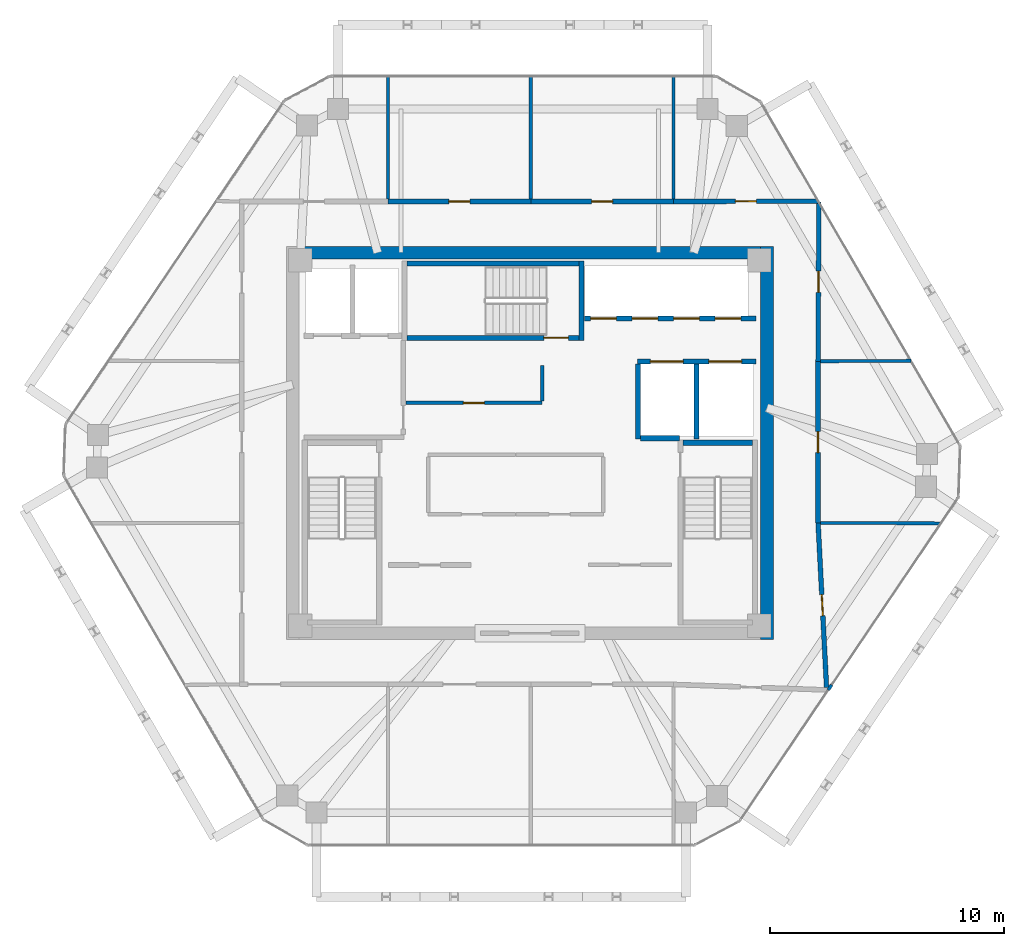
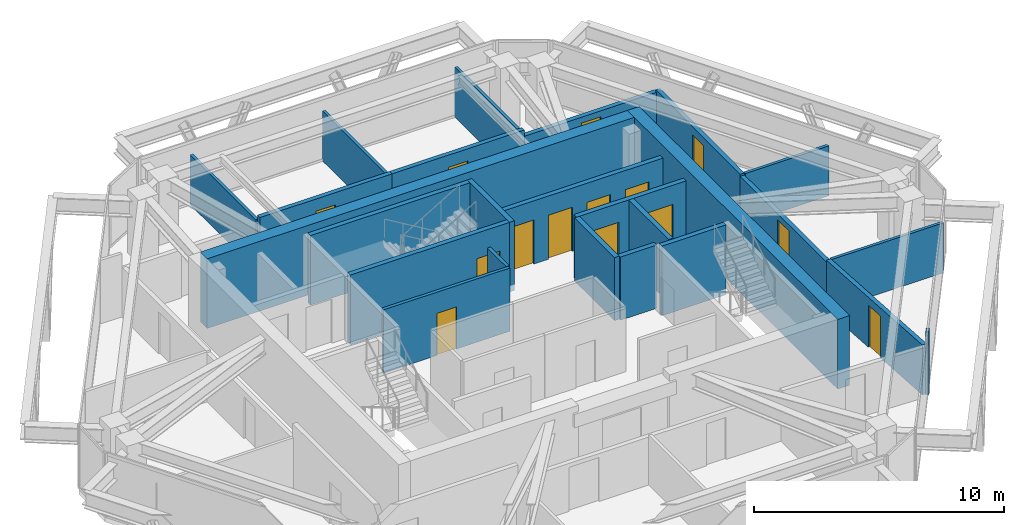
# One storey, part 9 of 11: 25 walls, 14 doors, 14 openings.
"""IFC4 building model written with IfcOpenShell, lengths in metres."""

from ifc_helpers import new_model, si_unit, direction, frame, frame_2d, origin, place, context, subcontext, project, spatial, rectangle, extrude, source, transform, mapped, material, layer, layer_set, type_object, type_shapes, element, fill, save


model = new_model("IFC4")

# Units and contexts
model_context = context("Model", 3, precision=1e-05, world=origin(), true_north=direction((0.0, 1.0)))
body_context = subcontext(model_context, "Body", "Model", "MODEL_VIEW")
ifc_project = project(units=[si_unit("LENGTHUNIT", "METRE"), si_unit("AREAUNIT", "SQUARE_METRE"), si_unit("VOLUMEUNIT", "CUBIC_METRE"), si_unit("PLANEANGLEUNIT", "RADIAN"), si_unit("MASSUNIT", "GRAM", prefix="KILO")], contexts=[model_context])

# Site, building, storey
site_placement = place(None, origin())
site = spatial("IfcSite", under=ifc_project, at=site_placement, CompositionType="ELEMENT")
building_placement = place(site_placement, origin())
building = spatial("IfcBuilding", under=site, at=building_placement, Name="Durnholm Broadcast Tower", CompositionType="ELEMENT")
storey_placement = place(building_placement, frame((0.0, 0.0, 264.89990234375)))
storey = spatial("IfcBuildingStorey", under=building, at=storey_placement, Name="L74", CompositionType="ELEMENT", Elevation=264.89990234375)

# Walls
ifc_material_1 = material(Name="Concrete C70/85", Category="concrete")
ifc_layer_1 = layer(ifc_material_1, 0.550048828125)
ifc_layer_set_1 = layer_set([ifc_layer_1], Name="Concrete C70/85")
wall_type_1 = type_object("IfcWallType", Name="WALL-CW-550", PredefinedType="SHEAR", material=ifc_layer_set_1)
wall_1_placement = place(storey_placement, frame((10.125, -8.39990234375, 0.0), z_axis=(0.0, 0.0, 1.0), x_axis=(0.0, 1.0, 0.0)))
element("IfcWall", 1, at=wall_1_placement, inside=storey, type_object=wall_type_1, Name="L74 central core shear wall CW-EAST", PredefinedType="SHEAR", context=body_context, shape_type="SweptSolid", body=[
    extrude(rectangle(XDim=16.7998046875, YDim=0.550048828125, at=frame_2d((8.39990234375, 0.0))), origin(), (0.0, 0.0, 1.0), 3.400146484375),
])
wall_2_placement = place(storey_placement, frame((-9.85009765625, 8.125, 0.0), z_axis=(0.0, 0.0, 1.0), x_axis=(1.0, 0.0, 0.0)))
element("IfcWall", 2, at=wall_2_placement, inside=storey, type_object=wall_type_1, Name="L74 central core shear wall CW-N", PredefinedType="SHEAR", context=body_context, shape_type="SweptSolid", body=[
    extrude(rectangle(XDim=19.7001953125, YDim=0.550048828125, at=frame_2d((9.85009765625, 0.0))), origin(), (0.0, 0.0, 1.0), 3.400146484375),
])

# Wall, opening, door
ifc_material_2 = material(Name="Fire-Rated Gypsum Shaftwall", Category="concrete")
ifc_layer_2 = layer(ifc_material_2, 0.199951171875)
ifc_layer_set_2 = layer_set([ifc_layer_2], Name="Fire-Rated Gypsum Shaftwall")
wall_type_2 = type_object("IfcWallType", Name="WALL-LOB-200", PredefinedType="SOLIDWALL", material=ifc_layer_set_2)
wall_3_placement = place(storey_placement, frame((0.0400390625, 10.31005859375, 0.0), z_axis=(0.0, 0.0, 1.0), x_axis=(-1.0, 0.0, 0.0)))
wall_3 = element("IfcWall", 3, at=wall_3_placement, inside=storey, type_object=wall_type_2, Name="L74 Mechanical Plant Room - Dedicated Outdoor Air Handling corridor partition", PredefinedType="SOLIDWALL", context=body_context, shape_type="SweptSolid", body=[
    extrude(rectangle(XDim=6.10009765625, YDim=0.199951171875, at=frame_2d((3.050048828125, 0.0))), origin(), (0.0, 0.0, 1.0), 2.6484375),
])
opening_1_placement = place(wall_3_placement, frame((2.60009765625, 0.0, 0.0)))
opening_1 = element("IfcOpeningElement", 4, at=opening_1_placement, cuts=wall_3, Name="Opening DC-60R", PredefinedType="OPENING", context=body_context, shape_type="SweptSolid", body=[
    extrude(rectangle(XDim=0.89990234375, YDim=2.050048828125, at=frame_2d((0.449951171875, 1.02490234375))), frame((0.0, 0.10986328125, 0.0), z_axis=(0.0, -1.0, 0.0), x_axis=(1.0, 0.0, 0.0)), (0.0, 0.0, 1.0), 0.219970703125),
])
ifc_material_3 = material(Name="Fire-Rated Core Service Door", Category="steel")
ifc_layer_3 = layer(ifc_material_3, 0.050048828125)
ifc_layer_set_3 = layer_set([ifc_layer_3], Name="Fire-Rated Core Service Door")
door_type_1 = type_object("IfcDoorType", Name="DOOR-CORE-FD60-R", OperationType="NOTDEFINED", PredefinedType="DOOR", material=ifc_layer_set_3)
shared_shape_1 = source(origin(), body_context, "Body", "SweptSolid", [
    extrude(rectangle(XDim=0.89990234375, YDim=2.050048828125, at=frame_2d((0.449951171875, 1.02490234375))), frame((0.0, 0.02490234375, 0.0), z_axis=(0.0, -1.0, 0.0), x_axis=(1.0, 0.0, 0.0)), (0.0, 0.0, 1.0), 0.050048828125),
])
type_shapes(door_type_1, [shared_shape_1])
door_1_placement = place(opening_1_placement, origin())
door_1 = element("IfcDoor", 5, at=door_1_placement, inside=storey, type_object=door_type_1, Name="L74 Mechanical Plant Room - Dedicated Outdoor Air Handling entrance door", OperationType="SINGLE_SWING_RIGHT", OverallHeight=2.050048828125, OverallWidth=0.89990234375, PredefinedType="DOOR", context=body_context, shape_type="MappedRepresentation", body=[
    mapped(shared_shape_1, transform((0.0, 0.0, 0.0), x_axis=(1.0, 0.0, 0.0), y_axis=(0.0, 1.0, 0.0), z_axis=(0.0, 0.0, 1.0), scale=1.0)),
])
fill(opening_1, door_1)

wall_4_placement = place(storey_placement, frame((6.139892578125, 10.31005859375, 0.0), z_axis=(0.0, 0.0, 1.0), x_axis=(-1.0, 0.0, 0.0)))
wall_4 = element("IfcWall", 6, at=wall_4_placement, inside=storey, type_object=wall_type_2, Name="L74 Mechanical Plant Room - Condenser Water Pump Station corridor partition", PredefinedType="SOLIDWALL", context=body_context, shape_type="SweptSolid", body=[
    extrude(rectangle(XDim=6.099853515625, YDim=0.199951171875, at=frame_2d((3.0498046875, 0.0))), origin(), (0.0, 0.0, 1.0), 2.6484375),
])
opening_2_placement = place(wall_4_placement, frame((2.60009765625, 0.0, 0.0)))
opening_2 = element("IfcOpeningElement", 7, at=opening_2_placement, cuts=wall_4, Name="Opening DC-60L", PredefinedType="OPENING", context=body_context, shape_type="SweptSolid", body=[
    extrude(rectangle(XDim=0.89990234375, YDim=2.050048828125, at=frame_2d((0.449951171875, 1.02490234375))), frame((0.0, 0.10986328125, 0.0), z_axis=(0.0, -1.0, 0.0), x_axis=(1.0, 0.0, 0.0)), (0.0, 0.0, 1.0), 0.219970703125),
])
ifc_layer_4 = layer(ifc_material_3, 0.050048828125)
ifc_layer_set_4 = layer_set([ifc_layer_4], Name="Fire-Rated Core Service Door")
door_type_2 = type_object("IfcDoorType", Name="DOOR-CORE-FD60-L", OperationType="NOTDEFINED", PredefinedType="DOOR", material=ifc_layer_set_4)
shared_shape_2 = source(origin(), body_context, "Body", "SweptSolid", [
    extrude(rectangle(XDim=0.89990234375, YDim=2.050048828125, at=frame_2d((0.449951171875, 1.02490234375))), frame((0.0, 0.02490234375, 0.0), z_axis=(0.0, -1.0, 0.0), x_axis=(1.0, 0.0, 0.0)), (0.0, 0.0, 1.0), 0.050048828125),
])
type_shapes(door_type_2, [shared_shape_2])
door_2_placement = place(opening_2_placement, origin())
door_2 = element("IfcDoor", 8, at=door_2_placement, inside=storey, type_object=door_type_2, Name="L74 Mechanical Plant Room - Condenser Water Pump Station entrance door", OperationType="SINGLE_SWING_LEFT", OverallHeight=2.050048828125, OverallWidth=0.89990234375, PredefinedType="DOOR", context=body_context, shape_type="MappedRepresentation", body=[
    mapped(shared_shape_2, transform((0.0, 0.0, 0.0), x_axis=(1.0, 0.0, 0.0), y_axis=(0.0, 1.0, 0.0), z_axis=(0.0, 0.0, 1.0), scale=1.0)),
])
fill(opening_2, door_2)

wall_5_placement = place(storey_placement, frame((12.317626953125, 10.330078125, 0.0), z_axis=(0.0, 0.0, 1.0), x_axis=(-0.999994876599, -0.003201058528, 0.0)))
wall_5 = element("IfcWall", 9, at=wall_5_placement, inside=storey, type_object=wall_type_2, Name="L74 Mechanical Plant Room - Hydronic Heating Boiler corridor partition", PredefinedType="SOLIDWALL", context=body_context, shape_type="SweptSolid", body=[
    extrude(rectangle(XDim=6.177734375, YDim=0.199951171875, at=frame_2d((3.0888671875, 0.0))), origin(), (0.0, 0.0, 1.0), 2.341552734375),
])
opening_3_placement = place(wall_5_placement, frame((2.638916015625, 0.0, 0.0)))
opening_3 = element("IfcOpeningElement", 10, at=opening_3_placement, cuts=wall_5, Name="Opening DC-60R", PredefinedType="OPENING", context=body_context, shape_type="SweptSolid", body=[
    extrude(rectangle(XDim=0.89990234375, YDim=2.050048828125, at=frame_2d((0.449951171875, 1.02490234375))), frame((0.0, 0.10986328125, 0.0), z_axis=(0.0, -1.0, 0.0), x_axis=(1.0, 0.0, 0.0)), (0.0, 0.0, 1.0), 0.219970703125),
])
door_3_placement = place(opening_3_placement, origin())
door_3 = element("IfcDoor", 11, at=door_3_placement, inside=storey, type_object=door_type_1, Name="L74 Mechanical Plant Room - Hydronic Heating Boiler entrance door", OperationType="SINGLE_SWING_RIGHT", OverallHeight=2.050048828125, OverallWidth=0.89990234375, PredefinedType="DOOR", context=body_context, shape_type="MappedRepresentation", body=[
    mapped(shared_shape_1, transform((0.0, 0.0, 0.0), x_axis=(1.0, 0.0, 0.0), y_axis=(0.0, 1.0, 0.0), z_axis=(0.0, 0.0, 1.0), scale=1.0)),
])
fill(opening_3, door_3)

wall_6_placement = place(storey_placement, frame((12.672119140625, -10.44287109375, 0.0), z_axis=(0.0, 0.0, 1.0), x_axis=(-0.051412460162, 0.998677504974, 0.0)))
wall_6 = element("IfcWall", 12, at=wall_6_placement, inside=storey, type_object=wall_type_2, Name="L74 Mechanical Plant Room - Electrical Switchgear East corridor partition", PredefinedType="SOLIDWALL", context=body_context, shape_type="SweptSolid", body=[
    extrude(rectangle(XDim=7.042236328125, YDim=0.199951171875, at=frame_2d((3.52099609375, 0.0))), origin(), (0.0, 0.0, 1.0), 2.43896484375),
])
opening_4_placement = place(wall_6_placement, frame((3.071044921875, 0.0, 0.0)))
opening_4 = element("IfcOpeningElement", 13, at=opening_4_placement, cuts=wall_6, Name="Opening DC-60L", PredefinedType="OPENING", context=body_context, shape_type="SweptSolid", body=[
    extrude(rectangle(XDim=0.89990234375, YDim=2.050048828125, at=frame_2d((0.449951171875, 1.02490234375))), frame((0.0, 0.10986328125, 0.0), z_axis=(0.0, -1.0, 0.0), x_axis=(1.0, 0.0, 0.0)), (0.0, 0.0, 1.0), 0.219970703125),
])
door_4_placement = place(opening_4_placement, origin())
door_4 = element("IfcDoor", 14, at=door_4_placement, inside=storey, type_object=door_type_2, Name="L74 Mechanical Plant Room - Electrical Switchgear East entrance door", OperationType="SINGLE_SWING_LEFT", OverallHeight=2.050048828125, OverallWidth=0.89990234375, PredefinedType="DOOR", context=body_context, shape_type="MappedRepresentation", body=[
    mapped(shared_shape_2, transform((0.0, 0.0, 0.0), x_axis=(1.0, 0.0, 0.0), y_axis=(0.0, 1.0, 0.0), z_axis=(0.0, 0.0, 1.0), scale=1.0)),
])
fill(opening_4, door_4)

wall_7_placement = place(storey_placement, frame((12.31005859375, -3.409912109375, 0.0), z_axis=(0.0, 0.0, 1.0), x_axis=(0.0, 1.0, 0.0)))
wall_7 = element("IfcWall", 15, at=wall_7_placement, inside=storey, type_object=wall_type_2, Name="L74 Mechanical Plant Room - Medium Voltage Transformer corridor partition", PredefinedType="SOLIDWALL", context=body_context, shape_type="SweptSolid", body=[
    extrude(rectangle(XDim=6.89990234375, YDim=0.199951171875, at=frame_2d((3.449951171875, 0.0))), origin(), (0.0, 0.0, 1.0), 2.341552734375),
])
opening_5_placement = place(wall_7_placement, frame((3.0, 0.0, 0.0)))
opening_5 = element("IfcOpeningElement", 16, at=opening_5_placement, cuts=wall_7, Name="Opening DC-60R", PredefinedType="OPENING", context=body_context, shape_type="SweptSolid", body=[
    extrude(rectangle(XDim=0.89990234375, YDim=2.050048828125, at=frame_2d((0.449951171875, 1.02490234375))), frame((0.0, 0.10986328125, 0.0), z_axis=(0.0, -1.0, 0.0), x_axis=(1.0, 0.0, 0.0)), (0.0, 0.0, 1.0), 0.219970703125),
])
door_5_placement = place(opening_5_placement, origin())
door_5 = element("IfcDoor", 17, at=door_5_placement, inside=storey, type_object=door_type_1, Name="L74 Mechanical Plant Room - Medium Voltage Transformer entrance door", OperationType="SINGLE_SWING_RIGHT", OverallHeight=2.050048828125, OverallWidth=0.89990234375, PredefinedType="DOOR", context=body_context, shape_type="MappedRepresentation", body=[
    mapped(shared_shape_1, transform((0.0, 0.0, 0.0), x_axis=(1.0, 0.0, 0.0), y_axis=(0.0, 1.0, 0.0), z_axis=(0.0, 0.0, 1.0), scale=1.0)),
])
fill(opening_5, door_5)

wall_8_placement = place(storey_placement, frame((12.310302734375, 3.489990234375, 0.0), z_axis=(0.0, 0.0, 1.0), x_axis=(0.005031021246, 0.999987344333, 0.0)))
wall_8 = element("IfcWall", 18, at=wall_8_placement, inside=storey, type_object=wall_type_2, Name="L74 Mechanical Plant Room - Emergency Smoke Exhaust Fan corridor partition", PredefinedType="SOLIDWALL", context=body_context, shape_type="SweptSolid", body=[
    extrude(rectangle(XDim=6.793701171875, YDim=0.199951171875, at=frame_2d((3.39697265625, 0.0))), origin(), (0.0, 0.0, 1.0), 2.43896484375),
])
opening_6_placement = place(wall_8_placement, frame((2.94677734375, 0.0, 0.0)))
opening_6 = element("IfcOpeningElement", 19, at=opening_6_placement, cuts=wall_8, Name="Opening DC-60L", PredefinedType="OPENING", context=body_context, shape_type="SweptSolid", body=[
    extrude(rectangle(XDim=0.89990234375, YDim=2.050048828125, at=frame_2d((0.449951171875, 1.02490234375))), frame((0.0, 0.10986328125, 0.0), z_axis=(0.0, -1.0, 0.0), x_axis=(1.0, 0.0, 0.0)), (0.0, 0.0, 1.0), 0.219970703125),
])
door_6_placement = place(opening_6_placement, origin())
door_6 = element("IfcDoor", 20, at=door_6_placement, inside=storey, type_object=door_type_2, Name="L74 Mechanical Plant Room - Emergency Smoke Exhaust Fan entrance door", OperationType="SINGLE_SWING_LEFT", OverallHeight=2.050048828125, OverallWidth=0.89990234375, PredefinedType="DOOR", context=body_context, shape_type="MappedRepresentation", body=[
    mapped(shared_shape_2, transform((0.0, 0.0, 0.0), x_axis=(1.0, 0.0, 0.0), y_axis=(0.0, 1.0, 0.0), z_axis=(0.0, 0.0, 1.0), scale=1.0)),
])
fill(opening_6, door_6)

# Walls
ifc_material_4 = material(Name="Gypsum Metal Stud Partition", Category="concrete")
ifc_layer_5 = layer(ifc_material_4, 0.135009765625)
ifc_layer_set_5 = layer_set([ifc_layer_5], Name="Gypsum Metal Stud Partition")
wall_type_3 = type_object("IfcWallType", Name="WALL-PART-135", PredefinedType="PARTITIONING", material=ifc_layer_set_5)
for number, where, z_axis, x_axis, name in (
    (21, (-6.06005859375, 15.662109375, 0.0), (0.0, 0.0, 1.0), (0.0, -1.0, 0.0), "L74 room dividing partition 6.7"),
    (22, (0.0400390625, 15.662109375, 0.0), (0.0, 0.0, 1.0), (0.0, -1.0, 0.0), "L74 room dividing partition 7.8"),
):
    element("IfcWall", number, at=place(storey_placement, frame(where, z_axis=z_axis, x_axis=x_axis)), inside=storey, type_object=wall_type_3, Name=name, PredefinedType="PARTITIONING", context=body_context, shape_type="SweptSolid", body=[
        extrude(rectangle(XDim=5.248046875, YDim=0.135009765625, at=frame_2d((2.6240234375, 0.0))), origin(), (0.0, 0.0, 1.0), 2.43896484375),
    ])
wall_9_placement = place(storey_placement, frame((6.139892578125, 15.662109375, 0.0), z_axis=(0.0, 0.0, 1.0), x_axis=(0.0, -1.0, 0.0)))
element("IfcWall", 23, at=wall_9_placement, inside=storey, type_object=wall_type_3, Name="L74 room dividing partition 8.9", PredefinedType="PARTITIONING", context=body_context, shape_type="SweptSolid", body=[
    extrude(rectangle(XDim=5.247802734375, YDim=0.135009765625, at=frame_2d((2.6240234375, 0.0))), origin(), (0.0, 0.0, 1.0), 2.43896484375),
])
wall_10_placement = place(storey_placement, frame((12.744384765625, -10.549560546875, 0.0), z_axis=(0.0, 0.0, 1.0), x_axis=(0.56006489544, 0.828448738846, 0.0)))
element("IfcWall", 24, at=wall_10_placement, inside=storey, type_object=wall_type_3, Name="L74 room dividing partition 13.14", PredefinedType="PARTITIONING", context=body_context, shape_type="SweptSolid", body=[
    extrude(rectangle(XDim=0.261962890625, YDim=0.135009765625, at=frame_2d((0.130859375, 0.0))), origin(), (0.0, 0.0, 1.0), 3.085205078125),
])
wall_11_placement = place(storey_placement, frame((12.414306640625, -3.410400390625, 0.0), z_axis=(0.0, 0.0, 1.0), x_axis=(0.999990868706, -0.004273465251, 0.0)))
element("IfcWall", 25, at=wall_11_placement, inside=storey, type_object=wall_type_3, Name="L74 room dividing partition 14.15", PredefinedType="PARTITIONING", context=body_context, shape_type="SweptSolid", body=[
    extrude(rectangle(XDim=5.1416015625, YDim=0.135009765625, at=frame_2d((2.57080078125, 0.0))), origin(), (0.0, 0.0, 1.0), 2.43896484375),
])
wall_12_placement = place(storey_placement, frame((12.414306640625, 3.490478515625, 0.0), z_axis=(0.0, 0.0, 1.0), x_axis=(0.999987207709, 0.005058104237, 0.0)))
element("IfcWall", 26, at=wall_12_placement, inside=storey, type_object=wall_type_3, Name="L74 room dividing partition 15.16", PredefinedType="PARTITIONING", context=body_context, shape_type="SweptSolid", body=[
    extrude(rectangle(XDim=3.861328125, YDim=0.135009765625, at=frame_2d((1.9306640625, 0.0))), origin(), (0.0, 0.0, 1.0), 2.43896484375),
])

# Wall, opening, door
ifc_material_5 = material(Name="Acoustic Gypsum Stud Partition", Category="concrete")
ifc_layer_6 = layer(ifc_material_5, 0.14990234375)
ifc_layer_set_6 = layer_set([ifc_layer_6], Name="Acoustic Gypsum Stud Partition")
wall_type_4 = type_object("IfcWallType", Name="WALL-PART-150", PredefinedType="PARTITIONING", material=ifc_layer_set_6)
wall_13_placement = place(storey_placement, frame((0.52001953125, 1.7099609375, 0.0), z_axis=(0.0, 0.0, 1.0), x_axis=(-1.0, 0.0, 0.0)))
wall_13 = element("IfcWall", 27, at=wall_13_placement, inside=storey, type_object=wall_type_4, Name="L74 Core Housekeeping Room corridor partition", PredefinedType="PARTITIONING", context=body_context, shape_type="SweptSolid", body=[
    extrude(rectangle(XDim=5.81591796875, YDim=0.14990234375, at=frame_2d((2.907958984375, 0.0))), origin(), (0.0, 0.0, 1.0), 3.085205078125),
])
opening_7_placement = place(wall_13_placement, frame((2.4580078125, 0.0, 0.0)))
opening_7 = element("IfcOpeningElement", 28, at=opening_7_placement, cuts=wall_13, Name="Opening DC-60R", PredefinedType="OPENING", context=body_context, shape_type="SweptSolid", body=[
    extrude(rectangle(XDim=0.89990234375, YDim=2.050048828125, at=frame_2d((0.449951171875, 1.02490234375))), frame((0.0, 0.0849609375, 0.0), z_axis=(0.0, -1.0, 0.0), x_axis=(1.0, 0.0, 0.0)), (0.0, 0.0, 1.0), 0.169921875),
])
door_7_placement = place(opening_7_placement, origin())
door_7 = element("IfcDoor", 29, at=door_7_placement, inside=storey, type_object=door_type_1, Name="L74 Core Housekeeping Room entrance door", OperationType="SINGLE_SWING_RIGHT", OverallHeight=2.050048828125, OverallWidth=0.89990234375, PredefinedType="DOOR", context=body_context, shape_type="MappedRepresentation", body=[
    mapped(shared_shape_1, transform((0.0, 0.0, 0.0), x_axis=(1.0, 0.0, 0.0), y_axis=(0.0, 1.0, 0.0), z_axis=(0.0, 0.0, 1.0), scale=1.0)),
])
fill(opening_7, door_7)

# Wall
wall_14_placement = place(storey_placement, frame((0.52001953125, 3.300048828125, 0.0), z_axis=(0.0, 0.0, 1.0), x_axis=(0.0, -1.0, 0.0)))
element("IfcWall", 30, at=wall_14_placement, inside=storey, type_object=wall_type_4, Name="L74 Core Housekeeping Room corridor partition", PredefinedType="PARTITIONING", context=body_context, shape_type="SweptSolid", body=[
    extrude(rectangle(XDim=1.510986328125, YDim=0.14990234375, at=frame_2d((0.75537109375, 0.0))), origin(), (0.0, 0.0, 1.0), 3.085205078125),
])

# Wall, openings, doors
ifc_material_6 = material(Name="Concrete Blockwork C30/37", Category="masonry")
ifc_layer_7 = layer(ifc_material_6, 0.219970703125)
ifc_layer_set_7 = layer_set([ifc_layer_7], Name="Concrete Blockwork C30/37")
wall_type_5 = type_object("IfcWallType", Name="WALL-SHAFT-220", PredefinedType="SOLIDWALL", material=ifc_layer_set_7)
wall_15_placement = place(storey_placement, frame((4.60009765625, 3.47998046875, 0.0), z_axis=(0.0, 0.0, 1.0), x_axis=(1.0, 0.0, 0.0)))
wall_15 = element("IfcWall", 31, at=wall_15_placement, inside=storey, type_object=wall_type_5, Name="L74 freight service lifts north front wall", PredefinedType="SOLIDWALL", context=body_context, shape_type="SweptSolid", body=[
    extrude(rectangle(XDim=5.0498046875, YDim=0.219970703125, at=frame_2d((2.52490234375, 0.0))), origin(), (0.0, 0.0, 1.0), 3.085205078125),
])
opening_8_placement = place(wall_15_placement, frame((0.550048828125, 0.0, 0.0)))
opening_8 = element("IfcOpeningElement", 32, at=opening_8_placement, cuts=wall_15, Name="Opening LD-SVL-2", PredefinedType="OPENING", context=body_context, shape_type="SweptSolid", body=[
    extrude(rectangle(XDim=1.39990234375, YDim=2.14990234375, at=frame_2d((0.699951171875, 1.074951171875))), frame((0.0, 0.1201171875, 0.0), z_axis=(0.0, -1.0, 0.0), x_axis=(1.0, 0.0, 0.0)), (0.0, 0.0, 1.0), 0.239990234375),
])
opening_9_placement = place(wall_15_placement, frame((3.050048828125, 0.0, 0.0)))
opening_9 = element("IfcOpeningElement", 33, at=opening_9_placement, cuts=wall_15, Name="Opening LD-SVL-1", PredefinedType="OPENING", context=body_context, shape_type="SweptSolid", body=[
    extrude(rectangle(XDim=1.39990234375, YDim=2.14990234375, at=frame_2d((0.699951171875, 1.074951171875))), frame((0.0, 0.1201171875, 0.0), z_axis=(0.0, -1.0, 0.0), x_axis=(1.0, 0.0, 0.0)), (0.0, 0.0, 1.0), 0.239990234375),
])
ifc_material_7 = material(Name="Freight Elevator Bi-Parting Sliding Landing Door", Category="steel")
ifc_layer_8 = layer(ifc_material_7, 0.050048828125)
ifc_layer_set_8 = layer_set([ifc_layer_8], Name="Freight Elevator Bi-Parting Sliding Landing Door")
door_type_3 = type_object("IfcDoorType", Name="DOOR-LIFT-SVL", OperationType="DOUBLE_DOOR_SLIDING", PredefinedType="DOOR", material=ifc_layer_set_8)
shared_shape_3 = source(origin(), body_context, "Body", "SweptSolid", [
    extrude(rectangle(XDim=1.39990234375, YDim=2.14990234375, at=frame_2d((0.699951171875, 1.074951171875))), frame((0.0, 0.02490234375, 0.0), z_axis=(0.0, -1.0, 0.0), x_axis=(1.0, 0.0, 0.0)), (0.0, 0.0, 1.0), 0.050048828125),
])
type_shapes(door_type_3, [shared_shape_3])
door_8_placement = place(opening_8_placement, origin())
door_8 = element("IfcDoor", 34, at=door_8_placement, inside=storey, type_object=door_type_3, Name="L74 freight service elevator SVL-2 sliding landing door", OperationType="DOUBLE_DOOR_SLIDING", OverallHeight=2.14990234375, OverallWidth=1.39990234375, PredefinedType="DOOR", context=body_context, shape_type="MappedRepresentation", body=[
    mapped(shared_shape_3, transform((0.0, 0.0, 0.0), x_axis=(1.0, 0.0, 0.0), y_axis=(0.0, 1.0, 0.0), z_axis=(0.0, 0.0, 1.0), scale=1.0)),
])
fill(opening_8, door_8)
door_9_placement = place(opening_9_placement, origin())
door_9 = element("IfcDoor", 35, at=door_9_placement, inside=storey, type_object=door_type_3, Name="L74 freight service elevator SVL-1 sliding landing door", OperationType="DOUBLE_DOOR_SLIDING", OverallHeight=2.14990234375, OverallWidth=1.39990234375, PredefinedType="DOOR", context=body_context, shape_type="MappedRepresentation", body=[
    mapped(shared_shape_3, transform((0.0, 0.0, 0.0), x_axis=(1.0, 0.0, 0.0), y_axis=(0.0, 1.0, 0.0), z_axis=(0.0, 0.0, 1.0), scale=1.0)),
])
fill(opening_9, door_9)

# Walls
for number, where, z_axis, x_axis, name in (
    (36, (4.6201171875, 0.179931640625, 0.0), (0.0, 0.0, 1.0), (0.0, 1.0, 0.0), "L74 freight service lift SVL-2 west wall"),
    (37, (7.1201171875, 0.179931640625, 0.0), (0.0, 0.0, 1.0), (0.0, 1.0, 0.0), "L74 freight service lifts divider wall"),
):
    element("IfcWall", number, at=place(storey_placement, frame(where, z_axis=z_axis, x_axis=x_axis)), inside=storey, type_object=wall_type_5, Name=name, PredefinedType="SOLIDWALL", context=body_context, shape_type="SweptSolid", body=[
        extrude(rectangle(XDim=3.18603515625, YDim=0.219970703125, at=frame_2d((1.593017578125, 0.0))), origin(), (0.0, 0.0, 1.0), 3.085205078125),
    ])
wall_16_placement = place(storey_placement, frame((4.73388671875, 0.199951171875, 0.0), z_axis=(0.0, 0.0, 1.0), x_axis=(1.0, 0.0, 0.0)))
element("IfcWall", 38, at=wall_16_placement, inside=storey, type_object=wall_type_5, Name="L74 freight service lift SVL-2 south wall", PredefinedType="SOLIDWALL", context=body_context, shape_type="SweptSolid", body=[
    extrude(rectangle(XDim=1.666015625, YDim=0.219970703125, at=frame_2d((0.8330078125, 0.0))), origin(), (0.0, 0.0, 1.0), 3.085205078125),
])

# Wall, openings, doors
wall_17_placement = place(storey_placement, frame((2.324951171875, 5.320068359375, 0.0), z_axis=(0.0, 0.0, 1.0), x_axis=(1.0, 0.0, 0.0)))
wall_17 = element("IfcWall", 39, at=wall_17_placement, inside=storey, type_object=wall_type_5, Name="L74 high-rise bank P3 south front wall", PredefinedType="SOLIDWALL", context=body_context, shape_type="SweptSolid", body=[
    extrude(rectangle(XDim=7.324951171875, YDim=0.219970703125, at=frame_2d((3.66259765625, 0.0))), origin(), (0.0, 0.0, 1.0), 3.085205078125),
])
opening_10_placement = place(wall_17_placement, frame((0.27490234375, 0.0, 0.0)))
opening_10 = element("IfcOpeningElement", 40, at=opening_10_placement, cuts=wall_17, Name="Opening LD-LP3-1", PredefinedType="OPENING", context=body_context, shape_type="SweptSolid", body=[
    extrude(rectangle(XDim=1.10009765625, YDim=2.14990234375, at=frame_2d((0.550048828125, 1.074951171875))), frame((0.0, 0.1201171875, 0.0), z_axis=(0.0, -1.0, 0.0), x_axis=(1.0, 0.0, 0.0)), (0.0, 0.0, 1.0), 0.239990234375),
])
opening_11_placement = place(wall_17_placement, frame((2.044921875, 0.0, 0.0)))
opening_11 = element("IfcOpeningElement", 41, at=opening_11_placement, cuts=wall_17, Name="Opening LD-LP3-2", PredefinedType="OPENING", context=body_context, shape_type="SweptSolid", body=[
    extrude(rectangle(XDim=1.10009765625, YDim=2.14990234375, at=frame_2d((0.550048828125, 1.074951171875))), frame((0.0, 0.1201171875, 0.0), z_axis=(0.0, -1.0, 0.0), x_axis=(1.0, 0.0, 0.0)), (0.0, 0.0, 1.0), 0.239990234375),
])
opening_12_placement = place(wall_17_placement, frame((3.81494140625, 0.0, 0.0)))
opening_12 = element("IfcOpeningElement", 42, at=opening_12_placement, cuts=wall_17, Name="Opening LD-LP3-3", PredefinedType="OPENING", context=body_context, shape_type="SweptSolid", body=[
    extrude(rectangle(XDim=1.10009765625, YDim=2.14990234375, at=frame_2d((0.550048828125, 1.074951171875))), frame((0.0, 0.1201171875, 0.0), z_axis=(0.0, -1.0, 0.0), x_axis=(1.0, 0.0, 0.0)), (0.0, 0.0, 1.0), 0.239990234375),
])
opening_13_placement = place(wall_17_placement, frame((5.5849609375, 0.0, 0.0)))
opening_13 = element("IfcOpeningElement", 43, at=opening_13_placement, cuts=wall_17, Name="Opening LD-LP3-4", PredefinedType="OPENING", context=body_context, shape_type="SweptSolid", body=[
    extrude(rectangle(XDim=1.10009765625, YDim=2.14990234375, at=frame_2d((0.550048828125, 1.074951171875))), frame((0.0, 0.1201171875, 0.0), z_axis=(0.0, -1.0, 0.0), x_axis=(1.0, 0.0, 0.0)), (0.0, 0.0, 1.0), 0.239990234375),
])
ifc_material_8 = material(Name="Stainless Steel Sliding Elevator Landing Door", Category="steel")
ifc_layer_9 = layer(ifc_material_8, 0.050048828125)
ifc_layer_set_9 = layer_set([ifc_layer_9], Name="Stainless Steel Sliding Elevator Landing Door")
door_type_4 = type_object("IfcDoorType", Name="DOOR-LIFT-PAX", OperationType="DOUBLE_DOOR_SLIDING", PredefinedType="DOOR", material=ifc_layer_set_9)
shared_shape_4 = source(origin(), body_context, "Body", "SweptSolid", [
    extrude(rectangle(XDim=1.10009765625, YDim=2.14990234375, at=frame_2d((0.550048828125, 1.074951171875))), frame((0.0, 0.02490234375, 0.0), z_axis=(0.0, -1.0, 0.0), x_axis=(1.0, 0.0, 0.0)), (0.0, 0.0, 1.0), 0.050048828125),
])
type_shapes(door_type_4, [shared_shape_4])
door_10_placement = place(opening_10_placement, origin())
door_10 = element("IfcDoor", 44, at=door_10_placement, inside=storey, type_object=door_type_4, Name="L74 high-rise elevator LP3-1 sliding landing door", OperationType="DOUBLE_DOOR_SLIDING", OverallHeight=2.14990234375, OverallWidth=1.10009765625, PredefinedType="DOOR", context=body_context, shape_type="MappedRepresentation", body=[
    mapped(shared_shape_4, transform((0.0, 0.0, 0.0), x_axis=(1.0, 0.0, 0.0), y_axis=(0.0, 1.0, 0.0), z_axis=(0.0, 0.0, 1.0), scale=1.0)),
])
fill(opening_10, door_10)
door_11_placement = place(opening_11_placement, origin())
door_11 = element("IfcDoor", 45, at=door_11_placement, inside=storey, type_object=door_type_4, Name="L74 high-rise elevator LP3-2 sliding landing door", OperationType="DOUBLE_DOOR_SLIDING", OverallHeight=2.14990234375, OverallWidth=1.10009765625, PredefinedType="DOOR", context=body_context, shape_type="MappedRepresentation", body=[
    mapped(shared_shape_4, transform((0.0, 0.0, 0.0), x_axis=(1.0, 0.0, 0.0), y_axis=(0.0, 1.0, 0.0), z_axis=(0.0, 0.0, 1.0), scale=1.0)),
])
fill(opening_11, door_11)
door_12_placement = place(opening_12_placement, origin())
door_12 = element("IfcDoor", 46, at=door_12_placement, inside=storey, type_object=door_type_4, Name="L74 high-rise elevator LP3-3 sliding landing door", OperationType="DOUBLE_DOOR_SLIDING", OverallHeight=2.14990234375, OverallWidth=1.10009765625, PredefinedType="DOOR", context=body_context, shape_type="MappedRepresentation", body=[
    mapped(shared_shape_4, transform((0.0, 0.0, 0.0), x_axis=(1.0, 0.0, 0.0), y_axis=(0.0, 1.0, 0.0), z_axis=(0.0, 0.0, 1.0), scale=1.0)),
])
fill(opening_12, door_12)
door_13_placement = place(opening_13_placement, origin())
door_13 = element("IfcDoor", 47, at=door_13_placement, inside=storey, type_object=door_type_4, Name="L74 high-rise elevator LP3-4 sliding landing door", OperationType="DOUBLE_DOOR_SLIDING", OverallHeight=2.14990234375, OverallWidth=1.10009765625, PredefinedType="DOOR", context=body_context, shape_type="MappedRepresentation", body=[
    mapped(shared_shape_4, transform((0.0, 0.0, 0.0), x_axis=(1.0, 0.0, 0.0), y_axis=(0.0, 1.0, 0.0), z_axis=(0.0, 0.0, 1.0), scale=1.0)),
])
fill(opening_13, door_13)

# Walls
ifc_material_9 = material(Name="Concrete C50/60", Category="concrete")
ifc_layer_10 = layer(ifc_material_9, 0.219970703125)
ifc_layer_set_10 = layer_set([ifc_layer_10], Name="Concrete C50/60")
wall_type_6 = type_object("IfcWallType", Name="WALL-SW-220", PredefinedType="SHEAR", material=ifc_layer_set_10)
wall_18_placement = place(storey_placement, frame((9.5, 0.010009765625, -0.2998046875), z_axis=(0.0, 0.0, 1.0), x_axis=(-1.0, 0.0, 0.0)))
element("IfcWall", 48, at=wall_18_placement, inside=storey, type_object=wall_type_6, Name="L74 stair ST-2 structural shaft wall N", PredefinedType="SHEAR", context=body_context, shape_type="SweptSolid", body=[
    extrude(rectangle(XDim=2.9599609375, YDim=0.219970703125, at=frame_2d((1.47998046875, 0.0))), origin(), (0.0, 0.0, 1.0), 3.39990234375),
])
wall_19_placement = place(storey_placement, frame((2.2099609375, 4.3798828125, -0.2998046875), z_axis=(0.0, 0.0, 1.0), x_axis=(0.0, 1.0, 0.0)))
element("IfcWall", 49, at=wall_19_placement, inside=storey, type_object=wall_type_6, Name="L74 stair ST-3 structural shaft wall E", PredefinedType="SHEAR", context=body_context, shape_type="SweptSolid", body=[
    extrude(rectangle(XDim=3.400146484375, YDim=0.219970703125, at=frame_2d((1.7001953125, 0.0))), origin(), (0.0, 0.0, 1.0), 3.39990234375),
])

# Wall, opening, door
wall_20_placement = place(storey_placement, frame((-5.25, 4.489990234375, -0.2998046875), z_axis=(0.0, 0.0, 1.0), x_axis=(1.0, 0.0, 0.0)))
wall_20 = element("IfcWall", 50, at=wall_20_placement, inside=storey, type_object=wall_type_6, Name="L74 stair ST-3 structural shaft wall S", PredefinedType="SHEAR", context=body_context, shape_type="SweptSolid", body=[
    extrude(rectangle(XDim=7.35009765625, YDim=0.219970703125, at=frame_2d((3.675048828125, 0.0))), origin(), (0.0, 0.0, 1.0), 3.39990234375),
])
opening_14_placement = place(wall_20_placement, frame((5.85009765625, 0.0, 0.0)))
opening_14 = element("IfcOpeningElement", 51, at=opening_14_placement, cuts=wall_20, Name="Opening DS-90L", PredefinedType="OPENING", context=body_context, shape_type="SweptSolid", body=[
    extrude(rectangle(XDim=1.050048828125, YDim=2.14990234375, at=frame_2d((0.52490234375, 1.074951171875))), frame((0.0, 0.1201171875, 0.0), z_axis=(0.0, -1.0, 0.0), x_axis=(1.0, 0.0, 0.0)), (0.0, 0.0, 1.0), 0.239990234375),
])
ifc_material_10 = material(Name="Fire-Rated Steel Door", Category="steel")
ifc_layer_11 = layer(ifc_material_10, 0.050048828125)
ifc_layer_set_11 = layer_set([ifc_layer_11], Name="Fire-Rated Steel Door")
door_type_5 = type_object("IfcDoorType", Name="DOOR-ST-FD90-L", OperationType="NOTDEFINED", PredefinedType="DOOR", material=ifc_layer_set_11)
shared_shape_5 = source(origin(), body_context, "Body", "SweptSolid", [
    extrude(rectangle(XDim=1.050048828125, YDim=2.14990234375, at=frame_2d((0.52490234375, 1.074951171875))), frame((0.0, 0.02490234375, 0.0), z_axis=(0.0, -1.0, 0.0), x_axis=(1.0, 0.0, 0.0)), (0.0, 0.0, 1.0), 0.050048828125),
])
type_shapes(door_type_5, [shared_shape_5])
door_14_placement = place(opening_14_placement, origin())
door_14 = element("IfcDoor", 52, at=door_14_placement, inside=storey, type_object=door_type_5, Name="L74 exit stair ST-3 fire door", OperationType="SINGLE_SWING_LEFT", OverallHeight=2.14990234375, OverallWidth=1.050048828125, PredefinedType="DOOR", context=body_context, shape_type="MappedRepresentation", body=[
    mapped(shared_shape_5, transform((0.0, 0.0, 0.0), x_axis=(1.0, 0.0, 0.0), y_axis=(0.0, 1.0, 0.0), z_axis=(0.0, 0.0, 1.0), scale=1.0)),
])
fill(opening_14, door_14)

# Wall
wall_21_placement = place(storey_placement, frame((2.10009765625, 7.669921875, -0.2998046875), z_axis=(0.0, 0.0, 1.0), x_axis=(-1.0, 0.0, 0.0)))
element("IfcWall", 53, at=wall_21_placement, inside=storey, type_object=wall_type_6, Name="L74 stair ST-3 structural shaft wall N", PredefinedType="SHEAR", context=body_context, shape_type="SweptSolid", body=[
    extrude(rectangle(XDim=7.35009765625, YDim=0.219970703125, at=frame_2d((3.675048828125, 0.0))), origin(), (0.0, 0.0, 1.0), 3.39990234375),
])

save(model, "model.ifc")
